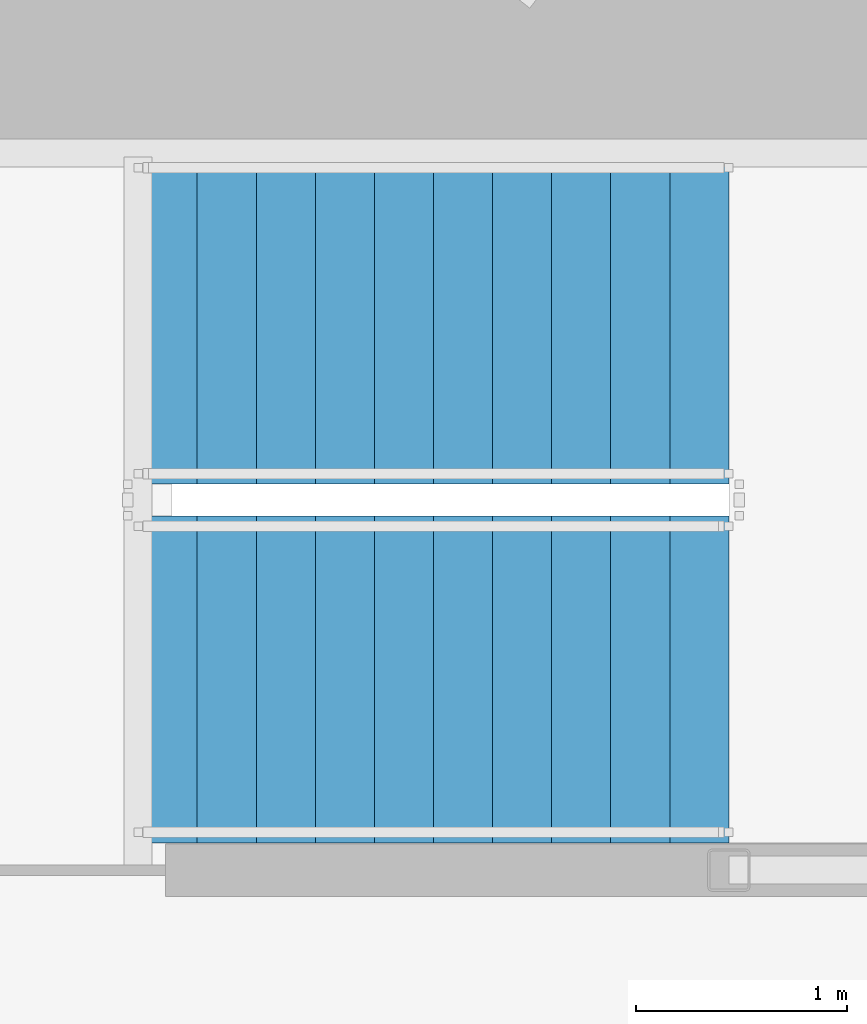
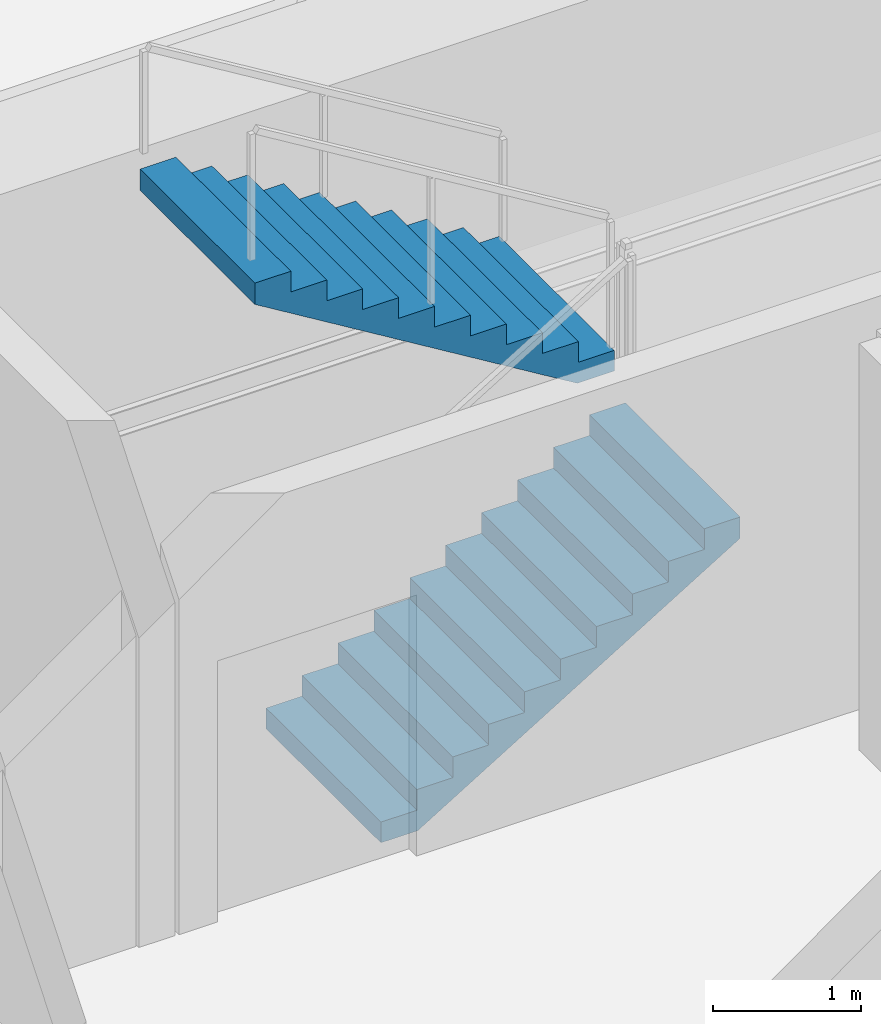
# One storey, part 24 of 31: 2 stair flights, 1 element without a shape of its own.
"""IFC4 building model written with IfcOpenShell, lengths in metres."""

from ifc_helpers import new_model, si_unit, direction, frame, origin, place, context, subcontext, project, spatial, polyline, outline, extrude, material, type_object, element, aggregate, save


model = new_model("IFC4")

# Units and contexts
model_context = context("Model", 3, precision=1e-05, world=origin(), true_north=direction((0.0, 1.0)))
body_context = subcontext(model_context, "Body", "Model", "MODEL_VIEW")
ifc_project = project(units=[si_unit("LENGTHUNIT", "METRE"), si_unit("AREAUNIT", "SQUARE_METRE"), si_unit("VOLUMEUNIT", "CUBIC_METRE"), si_unit("PLANEANGLEUNIT", "RADIAN"), si_unit("MASSUNIT", "GRAM", prefix="KILO")], contexts=[model_context])

# Site, building, storey
site_placement = place(None, origin())
site = spatial("IfcSite", under=ifc_project, at=site_placement, CompositionType="ELEMENT")
building_placement = place(site_placement, origin())
building = spatial("IfcBuilding", under=site, at=building_placement, Name="Kazma Halo Residences", CompositionType="ELEMENT")
storey_placement = place(building_placement, frame((0.0, 0.0, 71.39990234375)))
storey = spatial("IfcBuildingStorey", under=building, at=storey_placement, Name="L17", CompositionType="ELEMENT", Elevation=71.39990234375)

# Stair, stair flights
ifc_material = material(Name="Concrete C50/60", Category="concrete")
stair_type = type_object("IfcStairType", Name="STR-RES1", PredefinedType="HALF_TURN_STAIR", material=ifc_material)
stair_placement = place(storey_placement, origin())
stair = element("IfcStair", 1, at=stair_placement, inside=storey, type_object=stair_type, Name="L17 Core exit stair ST-02", PredefinedType="HALF_TURN_STAIR")
stair_flight_type = type_object("IfcStairFlightType", Name="STR-RES1-FLT", PredefinedType="STRAIGHT", material=ifc_material)
stair_flight_1_placement = place(storey_placement, frame((53.199951171875, 47.52490234375, 0.0), z_axis=(0.0, 0.0, 1.0), x_axis=(1.0, 0.0, 0.0)))
stair_flight_1 = element("IfcStairFlight", 2, at=stair_flight_1_placement, type_object=stair_flight_type, Name="ST-02 flight 1", NumberOfRisers=11, NumberOfTreads=10, PredefinedType="STRAIGHT", RiserHeight=0.170454545, TreadLength=0.28, context=body_context, shape_type="SweptSolid", body=[
    extrude(outline(polyline([(0.0, 0.0), (0.0, 0.17041015625), (0.280029296875, 0.17041015625), (0.280029296875, 0.3408203125), (0.56005859375, 0.3408203125), (0.56005859375, 0.511474609375), (0.840087890625, 0.511474609375), (0.840087890625, 0.681884765625), (1.1201171875, 0.681884765625), (1.1201171875, 0.852294921875), (1.39990234375, 0.852294921875), (1.39990234375, 1.022705078125), (1.679931640625, 1.022705078125), (1.679931640625, 1.193115234375), (1.9599609375, 1.193115234375), (1.9599609375, 1.363525390625), (2.239990234375, 1.363525390625), (2.239990234375, 1.5341796875), (2.52001953125, 1.5341796875), (2.52001953125, 1.70458984375), (2.800048828125, 1.70458984375), (2.800048828125, 1.875), (2.800048828125, 1.529052734375), (0.288330078125, 0.0), (0.0, 0.0)])), frame((0.0, 0.77490234375, 0.0), z_axis=(0.0, -1.0, 0.0), x_axis=(1.0, 0.0, 0.0)), (0.0, 0.0, 1.0), 1.550048828125),
])
stair_flight_2_placement = place(storey_placement, frame((56.0, 49.22509765625, 1.875), z_axis=(0.0, 0.0, 1.0), x_axis=(-1.0, 0.0, 0.0)))
stair_flight_2 = element("IfcStairFlight", 3, at=stair_flight_2_placement, type_object=stair_flight_type, Name="ST-02 flight 2", NumberOfRisers=11, NumberOfTreads=10, PredefinedType="STRAIGHT", RiserHeight=0.170454545, TreadLength=0.28, context=body_context, shape_type="SweptSolid", body=[
    extrude(outline(polyline([(0.0, 0.0), (0.0, 0.17041015625), (0.280029296875, 0.17041015625), (0.280029296875, 0.3408203125), (0.56005859375, 0.3408203125), (0.56005859375, 0.511474609375), (0.840087890625, 0.511474609375), (0.840087890625, 0.681884765625), (1.1201171875, 0.681884765625), (1.1201171875, 0.852294921875), (1.39990234375, 0.852294921875), (1.39990234375, 1.022705078125), (1.679931640625, 1.022705078125), (1.679931640625, 1.193115234375), (1.9599609375, 1.193115234375), (1.9599609375, 1.363525390625), (2.239990234375, 1.363525390625), (2.239990234375, 1.5341796875), (2.52001953125, 1.5341796875), (2.52001953125, 1.70458984375), (2.800048828125, 1.70458984375), (2.800048828125, 1.875), (2.800048828125, 1.529052734375), (0.288330078125, 0.0), (0.0, 0.0)])), frame((0.0, 0.77490234375, 0.0), z_axis=(0.0, -1.0, 0.0), x_axis=(1.0, 0.0, 0.0)), (0.0, 0.0, 1.0), 1.550048828125),
])
aggregate(stair, [stair_flight_1, stair_flight_2])

save(model, "model.ifc")
